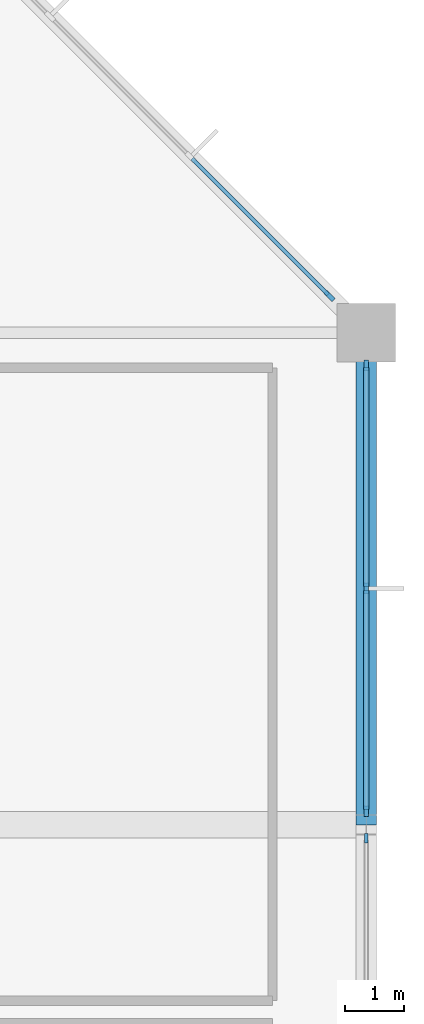
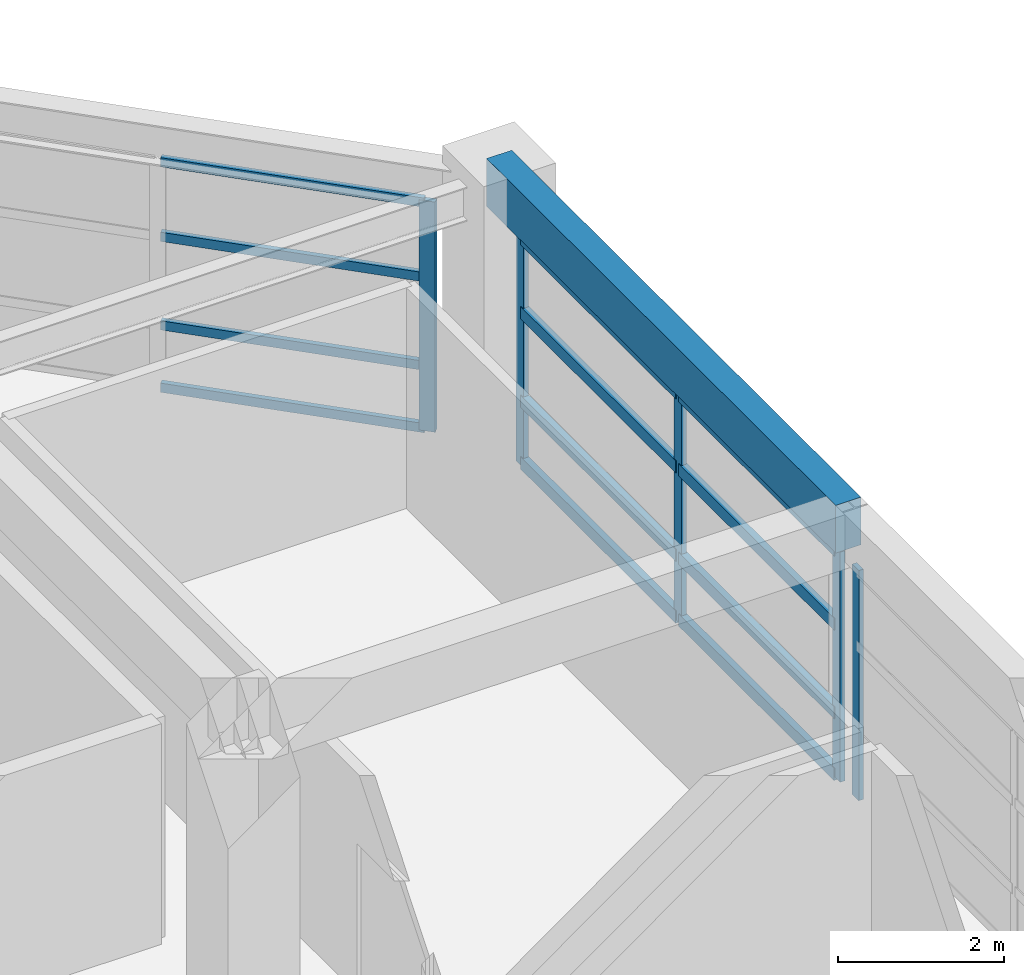
# One storey, part 9 of 15: 17 members, 1 beam, 3 elements without a shape of their own.
"""IFC4 building model written with IfcOpenShell, lengths in metres."""

from ifc_helpers import new_model, si_unit, direction, frame, origin, origin_2d, place, context, subcontext, project, spatial, rectangle, extrude, material, material_profile, profile_set, type_object, element, aggregate, save


model = new_model("IFC4")

# Units and contexts
model_context = context("Model", 3, precision=1e-05, world=origin(), true_north=direction((0.0, 1.0)))
body_context = subcontext(model_context, "Body", "Model", "MODEL_VIEW")
ifc_project = project(units=[si_unit("LENGTHUNIT", "METRE"), si_unit("AREAUNIT", "SQUARE_METRE"), si_unit("VOLUMEUNIT", "CUBIC_METRE"), si_unit("PLANEANGLEUNIT", "RADIAN"), si_unit("MASSUNIT", "GRAM", prefix="KILO")], contexts=[model_context])

# Site, building, storey
site_placement = place(None, origin())
site = spatial("IfcSite", under=ifc_project, at=site_placement, CompositionType="ELEMENT")
building_placement = place(site_placement, origin())
building = spatial("IfcBuilding", under=site, at=building_placement, Name="Xuanlan Plaza Opera House", CompositionType="ELEMENT")
storey_placement = place(building_placement, frame((0.0, 0.0, 53.10009765625)))
storey = spatial("IfcBuildingStorey", under=building, at=storey_placement, Name="L12", CompositionType="ELEMENT", Elevation=53.10009765625)

# Curtain wall, member
ifc_material_1 = material(Name="Anodised Aluminium 6063-T6 and Low-E Glass", Category="aluminium")
curtain_wall_type_1 = type_object("IfcCurtainWallType", Name="ENV-CW-CW-01", PredefinedType="USERDEFINED", material=ifc_material_1)
curtain_wall_1_placement = place(storey_placement, origin())
curtain_wall_1 = element("IfcCurtainWall", 1, at=curtain_wall_1_placement, inside=storey, type_object=curtain_wall_type_1, Name="Unitised Curtain Wall L12-007", ObjectType="UNITISED CURTAIN WALL", PredefinedType="USERDEFINED")
ifc_material_2 = material(Name="Anodised Aluminium 6063-T6", Category="aluminium")
ifc_material_profile_1 = material_profile(ifc_material_2, rectangle(XDim=0.06494140625, YDim=0.159912109375, at=origin_2d()), Name="ALU-M 65x160")
ifc_profile_set_1 = profile_set([ifc_material_profile_1], Name="Anodised Aluminium 6063-T6")
member_type_1 = type_object("IfcMemberType", Name="ENV-CWM-01", PredefinedType="MULLION", material=ifc_profile_set_1)
member_1_placement = place(storey_placement, frame((159.60009765625, 66.972412109375, 0.0), z_axis=(0.0, 0.0, 1.0), x_axis=(-1.0, 0.0, 0.0)))
member_1 = element("IfcMember", 2, at=member_1_placement, type_object=member_type_1, Name="CW-01 mullion 3", PredefinedType="MULLION", context=body_context, shape_type="SweptSolid", body=[
    extrude(rectangle(XDim=0.06494140625, YDim=0.159912109375, at=origin_2d()), origin(), (0.0, 0.0, 1.0), 3.3798828125),
])
aggregate(curtain_wall_1, [member_1])

# Curtain wall, members
curtain_wall_type_2 = type_object("IfcCurtainWallType", Name="ENV-CW-CW-02", PredefinedType="USERDEFINED", material=ifc_material_1)
curtain_wall_2_placement = place(storey_placement, origin())
curtain_wall_2 = element("IfcCurtainWall", 3, at=curtain_wall_2_placement, inside=storey, type_object=curtain_wall_type_2, Name="Unitised Curtain Wall L12-008", ObjectType="UNITISED CURTAIN WALL", PredefinedType="USERDEFINED")
ifc_material_profile_2 = material_profile(ifc_material_2, rectangle(XDim=0.070068359375, YDim=0.179931640625, at=origin_2d()), Name="ALU-M 70x180")
ifc_profile_set_2 = profile_set([ifc_material_profile_2], Name="Anodised Aluminium 6063-T6")
member_type_2 = type_object("IfcMemberType", Name="ENV-CWM-02", PredefinedType="MULLION", material=ifc_profile_set_2)
member_2_placement = place(storey_placement, frame((159.60009765625, 67.429931640625, 0.0), z_axis=(0.0, 0.0, 1.0), x_axis=(-1.0, 0.0, 0.0)))
member_2 = element("IfcMember", 4, at=member_2_placement, type_object=member_type_2, Name="CW-02 mullion 1", PredefinedType="MULLION", context=body_context, shape_type="SweptSolid", body=[
    extrude(rectangle(XDim=0.070068359375, YDim=0.179931640625, at=origin_2d()), origin(), (0.0, 0.0, 1.0), 3.3798828125),
])
member_3_placement = place(storey_placement, frame((159.60009765625, 71.237548828125, 0.0), z_axis=(0.0, 0.0, 1.0), x_axis=(-1.0, 0.0, 0.0)))
member_3 = element("IfcMember", 5, at=member_3_placement, type_object=member_type_2, Name="CW-02 mullion 2", PredefinedType="MULLION", context=body_context, shape_type="SweptSolid", body=[
    extrude(rectangle(XDim=0.070068359375, YDim=0.179931640625, at=origin_2d()), origin(), (0.0, 0.0, 1.0), 3.3798828125),
])
member_4_placement = place(storey_placement, frame((159.60009765625, 75.044921875, 0.0), z_axis=(0.0, 0.0, 1.0), x_axis=(-1.0, 0.0, 0.0)))
member_4 = element("IfcMember", 6, at=member_4_placement, type_object=member_type_2, Name="CW-02 mullion 3", PredefinedType="MULLION", context=body_context, shape_type="SweptSolid", body=[
    extrude(rectangle(XDim=0.070068359375, YDim=0.179931640625, at=origin_2d()), origin(), (0.0, 0.0, 1.0), 3.3798828125),
])

curtain_wall_type_3 = type_object("IfcCurtainWallType", Name="ENV-CW-CW-03", PredefinedType="USERDEFINED", material=ifc_material_1)
curtain_wall_3_placement = place(storey_placement, origin())
curtain_wall_3 = element("IfcCurtainWall", 7, at=curtain_wall_3_placement, inside=storey, type_object=curtain_wall_type_3, Name="Unitised Curtain Wall L12-009", ObjectType="UNITISED CURTAIN WALL", PredefinedType="USERDEFINED")
ifc_material_profile_3 = material_profile(ifc_material_2, rectangle(XDim=0.074951171875, YDim=0.199951171875, at=origin_2d()), Name="ALU-M 75x200")
ifc_profile_set_3 = profile_set([ifc_material_profile_3], Name="Anodised Aluminium 6063-T6")
member_type_3 = type_object("IfcMemberType", Name="ENV-CWM-03", PredefinedType="MULLION", material=ifc_profile_set_3)
member_5_placement = place(storey_placement, frame((158.974365234375, 76.2255859375, 0.0), z_axis=(0.0, 0.0, 1.0), x_axis=(-0.707106781187, -0.707106781187, 0.0)))
member_5 = element("IfcMember", 8, at=member_5_placement, type_object=member_type_3, Name="CW-03 mullion 1", PredefinedType="MULLION", context=body_context, shape_type="SweptSolid", body=[
    extrude(rectangle(XDim=0.074951171875, YDim=0.199951171875, at=origin_2d()), origin(), (0.0, 0.0, 1.0), 3.3798828125),
])
ifc_material_profile_4 = material_profile(ifc_material_2, rectangle(XDim=0.070068359375, YDim=0.135009765625, at=origin_2d()), Name="ALU-T 70x135")
ifc_profile_set_4 = profile_set([ifc_material_profile_4], Name="Anodised Aluminium 6063-T6")
member_type_4 = type_object("IfcMemberType", Name="ENV-CWT-02", PredefinedType="USERDEFINED", material=ifc_profile_set_4)
member_6_placement = place(storey_placement, frame((158.947998046875, 76.251953125, 0.034912109375), z_axis=(-0.70706959342, 0.707143966997, 0.0), x_axis=(-0.707143966997, -0.70706959342, 0.0)))
member_6 = element("IfcMember", 9, at=member_6_placement, type_object=member_type_4, Name="CW-03 transom 1.1", ObjectType="TRANSOM", PredefinedType="USERDEFINED", context=body_context, shape_type="SweptSolid", body=[
    extrude(rectangle(XDim=0.070068359375, YDim=0.135009765625, at=origin_2d()), origin(), (0.0, 0.0, 1.0), 3.28271484375),
])
member_7_placement = place(storey_placement, frame((158.947998046875, 76.251953125, 0.949951171875), z_axis=(-0.70706959342, 0.707143966997, 0.0), x_axis=(-0.707143966997, -0.70706959342, 0.0)))
member_7 = element("IfcMember", 10, at=member_7_placement, type_object=member_type_4, Name="CW-03 transom 1.2", ObjectType="TRANSOM", PredefinedType="USERDEFINED", context=body_context, shape_type="SweptSolid", body=[
    extrude(rectangle(XDim=0.070068359375, YDim=0.135009765625, at=origin_2d()), origin(), (0.0, 0.0, 1.0), 3.28271484375),
])
member_8_placement = place(storey_placement, frame((158.947998046875, 76.251953125, 2.25), z_axis=(-0.70706959342, 0.707143966997, 0.0), x_axis=(-0.707143966997, -0.70706959342, 0.0)))
member_8 = element("IfcMember", 11, at=member_8_placement, type_object=member_type_4, Name="CW-03 transom 1.3", ObjectType="TRANSOM", PredefinedType="USERDEFINED", context=body_context, shape_type="SweptSolid", body=[
    extrude(rectangle(XDim=0.070068359375, YDim=0.135009765625, at=origin_2d()), origin(), (0.0, 0.0, 1.0), 3.28271484375),
])
member_9_placement = place(storey_placement, frame((158.947998046875, 76.251953125, 3.344970703125), z_axis=(-0.70706959342, 0.707143966997, 0.0), x_axis=(-0.707143966997, -0.70706959342, 0.0)))
member_9 = element("IfcMember", 12, at=member_9_placement, type_object=member_type_4, Name="CW-03 transom 1.4", ObjectType="TRANSOM", PredefinedType="USERDEFINED", context=body_context, shape_type="SweptSolid", body=[
    extrude(rectangle(XDim=0.070068359375, YDim=0.135009765625, at=origin_2d()), origin(), (0.0, 0.0, 1.0), 3.28271484375),
])
aggregate(curtain_wall_3, [member_5, member_6, member_7, member_8, member_9])

# Member
ifc_material_profile_5 = material_profile(ifc_material_2, rectangle(XDim=0.090087890625, YDim=0.179931640625, at=origin_2d()), Name="ALU-T 90x180")
ifc_profile_set_5 = profile_set([ifc_material_profile_5], Name="Anodised Aluminium 6063-T6")
member_type_5 = type_object("IfcMemberType", Name="ENV-CWT-05", PredefinedType="USERDEFINED", material=ifc_profile_set_5)
member_10_placement = place(storey_placement, frame((159.60009765625, 67.465087890625, 0.044921875), z_axis=(0.0, 1.0, 0.0), x_axis=(-1.0, 0.0, 0.0)))
member_10 = element("IfcMember", 13, at=member_10_placement, type_object=member_type_5, Name="CW-02 transom 1.1", ObjectType="TRANSOM", PredefinedType="USERDEFINED", context=body_context, shape_type="SweptSolid", body=[
    extrude(rectangle(XDim=0.090087890625, YDim=0.179931640625, at=origin_2d()), origin(), (0.0, 0.0, 1.0), 3.7373046875),
])

member_11_placement = place(storey_placement, frame((159.60009765625, 67.465087890625, 0.949951171875), z_axis=(0.0, 1.0, 0.0), x_axis=(-1.0, 0.0, 0.0)))
member_11 = element("IfcMember", 14, at=member_11_placement, type_object=member_type_5, Name="CW-02 transom 1.2", ObjectType="TRANSOM", PredefinedType="USERDEFINED", context=body_context, shape_type="SweptSolid", body=[
    extrude(rectangle(XDim=0.090087890625, YDim=0.179931640625, at=origin_2d()), origin(), (0.0, 0.0, 1.0), 3.7373046875),
])

member_12_placement = place(storey_placement, frame((159.60009765625, 67.465087890625, 2.25), z_axis=(0.0, 1.0, 0.0), x_axis=(-1.0, 0.0, 0.0)))
member_12 = element("IfcMember", 15, at=member_12_placement, type_object=member_type_5, Name="CW-02 transom 1.3", ObjectType="TRANSOM", PredefinedType="USERDEFINED", context=body_context, shape_type="SweptSolid", body=[
    extrude(rectangle(XDim=0.090087890625, YDim=0.179931640625, at=origin_2d()), origin(), (0.0, 0.0, 1.0), 3.7373046875),
])

member_13_placement = place(storey_placement, frame((159.60009765625, 67.465087890625, 3.3349609375), z_axis=(0.0, 1.0, 0.0), x_axis=(-1.0, 0.0, 0.0)))
member_13 = element("IfcMember", 16, at=member_13_placement, type_object=member_type_5, Name="CW-02 transom 1.4", ObjectType="TRANSOM", PredefinedType="USERDEFINED", context=body_context, shape_type="SweptSolid", body=[
    extrude(rectangle(XDim=0.090087890625, YDim=0.179931640625, at=origin_2d()), origin(), (0.0, 0.0, 1.0), 3.7373046875),
])

member_14_placement = place(storey_placement, frame((159.60009765625, 71.2724609375, 0.044921875), z_axis=(0.0, 1.0, 0.0), x_axis=(-1.0, 0.0, 0.0)))
member_14 = element("IfcMember", 17, at=member_14_placement, type_object=member_type_5, Name="CW-02 transom 2.1", ObjectType="TRANSOM", PredefinedType="USERDEFINED", context=body_context, shape_type="SweptSolid", body=[
    extrude(rectangle(XDim=0.090087890625, YDim=0.179931640625, at=origin_2d()), origin(), (0.0, 0.0, 1.0), 3.737548828125),
])

member_15_placement = place(storey_placement, frame((159.60009765625, 71.2724609375, 0.949951171875), z_axis=(0.0, 1.0, 0.0), x_axis=(-1.0, 0.0, 0.0)))
member_15 = element("IfcMember", 18, at=member_15_placement, type_object=member_type_5, Name="CW-02 transom 2.2", ObjectType="TRANSOM", PredefinedType="USERDEFINED", context=body_context, shape_type="SweptSolid", body=[
    extrude(rectangle(XDim=0.090087890625, YDim=0.179931640625, at=origin_2d()), origin(), (0.0, 0.0, 1.0), 3.737548828125),
])

member_16_placement = place(storey_placement, frame((159.60009765625, 71.2724609375, 2.25), z_axis=(0.0, 1.0, 0.0), x_axis=(-1.0, 0.0, 0.0)))
member_16 = element("IfcMember", 19, at=member_16_placement, type_object=member_type_5, Name="CW-02 transom 2.3", ObjectType="TRANSOM", PredefinedType="USERDEFINED", context=body_context, shape_type="SweptSolid", body=[
    extrude(rectangle(XDim=0.090087890625, YDim=0.179931640625, at=origin_2d()), origin(), (0.0, 0.0, 1.0), 3.737548828125),
])

member_17_placement = place(storey_placement, frame((159.60009765625, 71.2724609375, 3.3349609375), z_axis=(0.0, 1.0, 0.0), x_axis=(-1.0, 0.0, 0.0)))
member_17 = element("IfcMember", 20, at=member_17_placement, type_object=member_type_5, Name="CW-02 transom 2.4", ObjectType="TRANSOM", PredefinedType="USERDEFINED", context=body_context, shape_type="SweptSolid", body=[
    extrude(rectangle(XDim=0.090087890625, YDim=0.179931640625, at=origin_2d()), origin(), (0.0, 0.0, 1.0), 3.737548828125),
])

aggregate(curtain_wall_2, [member_2, member_3, member_4, member_10, member_11, member_12, member_13, member_14, member_15, member_16, member_17])

# Beam
ifc_material_3 = material(Name="Concrete C40", Category="concrete")
ifc_material_profile_6 = material_profile(ifc_material_3, rectangle(XDim=0.35009765625, YDim=0.699951171875, at=origin_2d()), Name="RC-SPD 350x700")
ifc_profile_set_6 = profile_set([ifc_material_profile_6], Name="Concrete C40")
beam_type = type_object("IfcBeamType", Name="STR-BM-SP-02", PredefinedType="SPANDREL", material=ifc_profile_set_6)
beam_placement = place(storey_placement, frame((159.60009765625, 67.199951171875, 3.849853515625), z_axis=(0.0, 1.0, 0.0), x_axis=(-1.0, 0.0, 0.0)))
element("IfcBeam", 21, at=beam_placement, inside=storey, type_object=beam_type, Name="Grid Beam Y L12 20/I-J", PredefinedType="SPANDREL", context=body_context, shape_type="SweptSolid", body=[
    extrude(rectangle(XDim=0.35009765625, YDim=0.699951171875, at=origin_2d()), origin(), (0.0, 0.0, 1.0), 8.400146484375),
])

save(model, "model.ifc")
